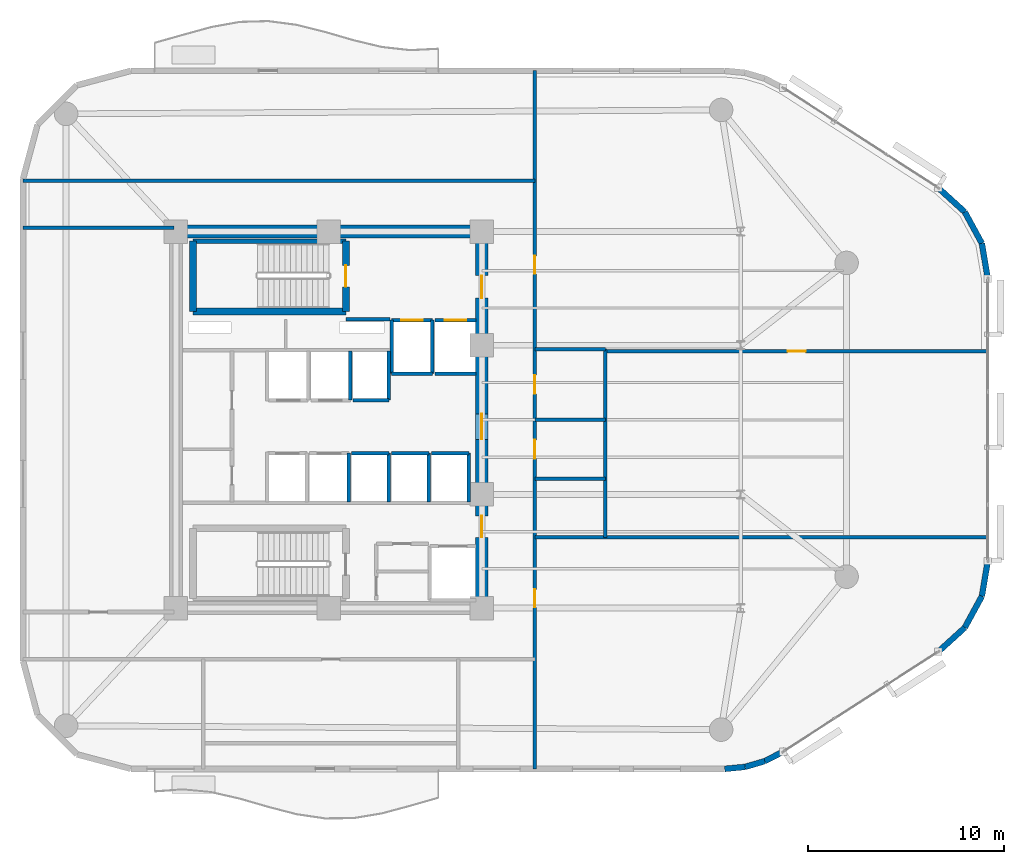
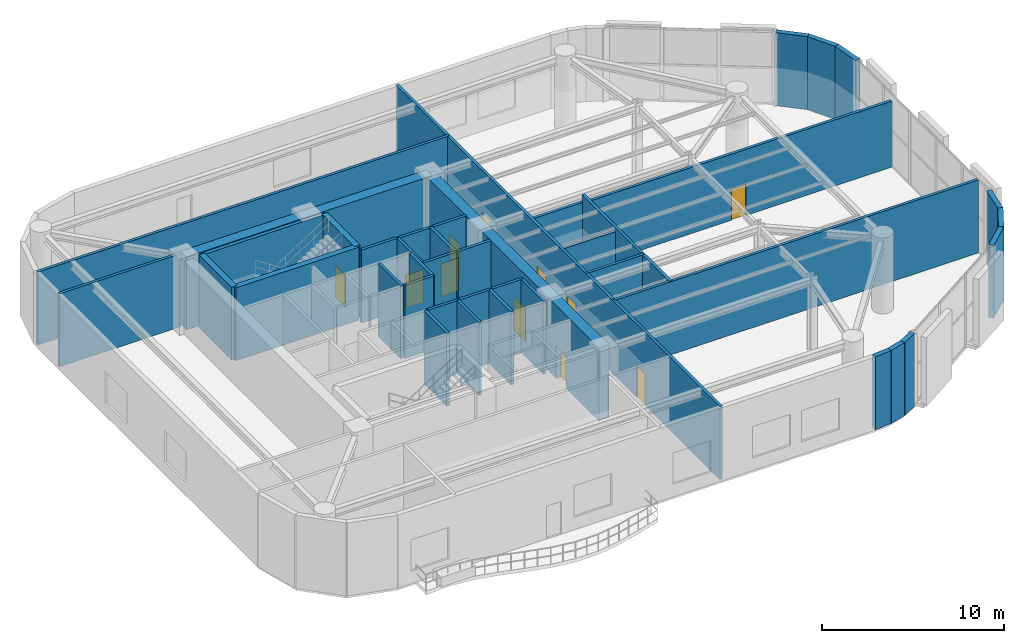
# One storey, part 9 of 12: 41 walls, 11 doors, 11 openings.
"""IFC4 building model written with IfcOpenShell, lengths in metres."""

from ifc_helpers import new_model, si_unit, direction, frame, frame_2d, origin, place, context, subcontext, project, spatial, rectangle, extrude, material, layer, layer_set, type_object, element, fill, save


model = new_model("IFC4")

# Units and contexts
model_context = context("Model", 3, precision=1e-05, world=origin(), true_north=direction((0.0, 1.0)))
body_context = subcontext(model_context, "Body", "Model", "MODEL_VIEW")
ifc_project = project(units=[si_unit("LENGTHUNIT", "METRE"), si_unit("AREAUNIT", "SQUARE_METRE"), si_unit("VOLUMEUNIT", "CUBIC_METRE"), si_unit("PLANEANGLEUNIT", "RADIAN"), si_unit("MASSUNIT", "GRAM", prefix="KILO")], contexts=[model_context])

# Site, building, storey
site_placement = place(None, origin())
site = spatial("IfcSite", under=ifc_project, at=site_placement, CompositionType="ELEMENT")
building_placement = place(site_placement, origin())
building = spatial("IfcBuilding", under=site, at=building_placement, Name="An Khanh Terracotta Commons", CompositionType="ELEMENT")
storey_placement = place(building_placement, frame((0.0, 0.0, 138.699951171875)))
storey = spatial("IfcBuildingStorey", under=building, at=storey_placement, Name="L36", CompositionType="ELEMENT", Elevation=138.699951171875)

# Wall
ifc_material_1 = material(Name="Concrete C60/75", Category="concrete")
ifc_layer_1 = layer(ifc_material_1, 0.64990234375, Name="Concrete C60/75")
ifc_layer_set_1 = layer_set([ifc_layer_1], Name="Concrete C60/75")
wall_type_1 = type_object("IfcWallType", Name="WALL-CORE-650", PredefinedType="SHEAR", material=ifc_layer_set_1)
wall_1_placement = place(storey_placement, frame((21.60009765625, 33.60009765625, 0.0), z_axis=(0.0, 0.0, 1.0), x_axis=(1.0, 0.0, 0.0)))
element("IfcWall", 1, at=wall_1_placement, inside=storey, type_object=wall_type_1, Name="L36 Core Wall CWALL-L36-N", PredefinedType="SHEAR", context=body_context, shape_type="SweptSolid", body=[
    extrude(rectangle(XDim=15.599853515625, YDim=0.64990234375, at=frame_2d((7.7998046875, 0.0))), origin(), (0.0, 0.0, 1.0), 4.900146484375),
])

# Wall, openings, doors
wall_2_placement = place(storey_placement, frame((37.199951171875, 14.39990234375, 0.0), z_axis=(0.0, 0.0, 1.0), x_axis=(0.0, 1.0, 0.0)))
wall_2 = element("IfcWall", 2, at=wall_2_placement, inside=storey, type_object=wall_type_1, Name="L36 Core Wall CWALL-L36-E", PredefinedType="SHEAR", context=body_context, shape_type="SweptSolid", body=[
    extrude(rectangle(XDim=19.2001953125, YDim=0.64990234375, at=frame_2d((9.60009765625, 0.0))), origin(), (0.0, 0.0, 1.0), 4.900146484375),
])
opening_1_placement = place(wall_2_placement, frame((15.800048828125, 0.0, 0.0)))
opening_1 = element("IfcOpeningElement", 3, at=opening_1_placement, cuts=wall_2, Name="Opening D-FFL", PredefinedType="OPENING", context=body_context, shape_type="SweptSolid", body=[
    extrude(rectangle(XDim=1.14990234375, YDim=2.14990234375, at=frame_2d((0.574951171875, 1.074951171875))), frame((0.0, 0.3349609375, 0.0), z_axis=(0.0, -1.0, 0.0), x_axis=(1.0, 0.0, 0.0)), (0.0, 0.0, 1.0), 0.669921875),
])
opening_2_placement = place(wall_2_placement, frame((3.60009765625, 0.0, 0.0)))
opening_2 = element("IfcOpeningElement", 4, at=opening_2_placement, cuts=wall_2, Name="Opening D-ST", PredefinedType="OPENING", context=body_context, shape_type="SweptSolid", body=[
    extrude(rectangle(XDim=1.10009765625, YDim=2.14990234375, at=frame_2d((0.550048828125, 1.074951171875))), frame((0.0, 0.3349609375, 0.0), z_axis=(0.0, -1.0, 0.0), x_axis=(1.0, 0.0, 0.0)), (0.0, 0.0, 1.0), 0.669921875),
])
opening_3_placement = place(wall_2_placement, frame((8.60009765625, 0.0, 0.0)))
opening_3 = element("IfcOpeningElement", 5, at=opening_3_placement, cuts=wall_2, Name="Opening D-COR", PredefinedType="OPENING", context=body_context, shape_type="SweptSolid", body=[
    extrude(rectangle(XDim=1.300048828125, YDim=2.199951171875, at=frame_2d((0.64990234375, 1.10009765625))), frame((0.0, 0.3349609375, 0.0), z_axis=(0.0, -1.0, 0.0), x_axis=(1.0, 0.0, 0.0)), (0.0, 0.0, 1.0), 0.669921875),
])
ifc_material_2 = material(Name="Fire-Rated Glazed Steel Double Door", Category="steel")
door_type_1 = type_object("IfcDoorType", Name="DOOR-CORR-1300", OperationType="NOTDEFINED", PredefinedType="DOOR", material=ifc_material_2)
door_1_placement = place(opening_3_placement, origin())
door_1 = element("IfcDoor", 6, at=door_1_placement, inside=storey, type_object=door_type_1, Name="L36 Passenger Lift Lobby Double Door", OperationType="DOUBLE_DOOR_SINGLE_SWING", OverallHeight=2.199951171875, OverallWidth=1.300048828125, PredefinedType="DOOR", context=body_context, shape_type="SweptSolid", body=[
    extrude(rectangle(XDim=1.300048828125, YDim=2.199951171875, at=frame_2d((0.64990234375, 1.10009765625))), frame((0.0, 0.02490234375, 0.0), z_axis=(0.0, -1.0, 0.0), x_axis=(1.0, 0.0, 0.0)), (0.0, 0.0, 1.0), 0.050048828125),
])
fill(opening_3, door_1)
ifc_material_3 = material(Name="Fire-Rated Steel Leaf and Vision Panel", Category="steel")
door_type_2 = type_object("IfcDoorType", Name="DOOR-FFL-1150", OperationType="NOTDEFINED", PredefinedType="DOOR", material=ifc_material_3)
door_2_placement = place(opening_1_placement, origin())
door_2 = element("IfcDoor", 7, at=door_2_placement, inside=storey, type_object=door_type_2, Name="L36 Firefighting Lift Lobby Fire Door", OperationType="SINGLE_SWING_LEFT", OverallHeight=2.14990234375, OverallWidth=1.14990234375, PredefinedType="DOOR", context=body_context, shape_type="SweptSolid", body=[
    extrude(rectangle(XDim=1.14990234375, YDim=2.14990234375, at=frame_2d((0.574951171875, 1.074951171875))), frame((0.0, 0.02490234375, 0.0), z_axis=(0.0, -1.0, 0.0), x_axis=(1.0, 0.0, 0.0)), (0.0, 0.0, 1.0), 0.050048828125),
])
fill(opening_1, door_2)
ifc_material_4 = material(Name="Fire-Rated Steel Leaf and Frame", Category="steel")
door_type_3 = type_object("IfcDoorType", Name="DOOR-STAIR-1100", OperationType="NOTDEFINED", PredefinedType="DOOR", material=ifc_material_4)
door_3_placement = place(opening_2_placement, origin())
door_3 = element("IfcDoor", 8, at=door_3_placement, inside=storey, type_object=door_type_3, Name="L36 South Stair Lobby Fire Door", OperationType="SINGLE_SWING_RIGHT", OverallHeight=2.14990234375, OverallWidth=1.10009765625, PredefinedType="DOOR", context=body_context, shape_type="SweptSolid", body=[
    extrude(rectangle(XDim=1.10009765625, YDim=2.14990234375, at=frame_2d((0.550048828125, 1.074951171875))), frame((0.0, 0.02490234375, 0.0), z_axis=(0.0, -1.0, 0.0), x_axis=(1.0, 0.0, 0.0)), (0.0, 0.0, 1.0), 0.050048828125),
])
fill(opening_2, door_3)

# Wall
ifc_material_5 = material(Name="Fire-Rated Gypsum Board on Steel Stud", Category="steel")
ifc_layer_2 = layer(ifc_material_5, 0.179931640625, Name="Fire-Rated Gypsum Board on Steel Stud")
ifc_layer_set_2 = layer_set([ifc_layer_2], Name="Fire-Rated Gypsum Board on Steel Stud")
wall_type_2 = type_object("IfcWallType", Name="WALL-CORR-180", PredefinedType="PARTITIONING", material=ifc_layer_set_2)
wall_3_placement = place(storey_placement, frame((30.27001953125, 29.1201171875, 0.0), z_axis=(0.0, 0.0, 1.0), x_axis=(1.0, 0.0, 0.0)))
element("IfcWall", 9, at=wall_3_placement, inside=storey, type_object=wall_type_2, Name="L36 Core Wall FFLW-L36-S", PredefinedType="PARTITIONING", context=body_context, shape_type="SweptSolid", body=[
    extrude(rectangle(XDim=2.239990234375, YDim=0.179931640625, at=frame_2d((1.1201171875, 0.0))), origin(), (0.0, 0.0, 1.0), 4.900146484375),
])

# Wall, opening, door
wall_4_placement = place(storey_placement, frame((32.60009765625, 29.080078125, 0.0), z_axis=(0.0, 0.0, 1.0), x_axis=(1.0, 0.0, 0.0)))
wall_4 = element("IfcWall", 10, at=wall_4_placement, inside=storey, type_object=wall_type_2, Name="L36 Core Wall LSH-L36-FFL-01-N", PredefinedType="PARTITIONING", context=body_context, shape_type="SweptSolid", body=[
    extrude(rectangle(XDim=2.079833984375, YDim=0.179931640625, at=frame_2d((1.0400390625, 0.0))), origin(), (0.0, 0.0, 1.0), 4.900146484375),
])
opening_4_placement = place(wall_4_placement, frame((0.489990234375, 0.0, 0.0)))
opening_4 = element("IfcOpeningElement", 11, at=opening_4_placement, cuts=wall_4, Name="Opening LD-FFL-01-L36", PredefinedType="OPENING", context=body_context, shape_type="SweptSolid", body=[
    extrude(rectangle(XDim=1.10009765625, YDim=2.199951171875, at=frame_2d((0.550048828125, 1.10009765625))), frame((0.0, 0.099853515625, 0.0), z_axis=(0.0, -1.0, 0.0), x_axis=(1.0, 0.0, 0.0)), (0.0, 0.0, 1.0), 0.199951171875),
])
ifc_material_6 = material(Name="Brushed Stainless Steel Fire Landing Door", Category="steel")
door_type_4 = type_object("IfcDoorType", Name="DOOR-LD-FFL-1100", OperationType="NOTDEFINED", PredefinedType="DOOR", material=ifc_material_6)
door_4_placement = place(opening_4_placement, origin())
door_4 = element("IfcDoor", 12, at=door_4_placement, inside=storey, type_object=door_type_4, Name="L36 Lift FFL-01 Sliding Landing Door", OperationType="DOUBLE_DOOR_SLIDING", OverallHeight=2.199951171875, OverallWidth=1.10009765625, PredefinedType="DOOR", context=body_context, shape_type="SweptSolid", body=[
    extrude(rectangle(XDim=1.10009765625, YDim=2.199951171875, at=frame_2d((0.550048828125, 1.10009765625))), frame((0.0, 0.02490234375, 0.0), z_axis=(0.0, -1.0, 0.0), x_axis=(1.0, 0.0, 0.0)), (0.0, 0.0, 1.0), 0.050048828125),
])
fill(opening_4, door_4)

# Walls
wall_5_placement = place(storey_placement, frame((34.679931640625, 26.35009765625, 0.0), z_axis=(0.0, 0.0, 1.0), x_axis=(-1.0, 0.0, 0.0)))
element("IfcWall", 13, at=wall_5_placement, inside=storey, type_object=wall_type_2, Name="L36 Core Wall LSH-L36-FFL-01-S", PredefinedType="PARTITIONING", context=body_context, shape_type="SweptSolid", body=[
    extrude(rectangle(XDim=2.079833984375, YDim=0.179931640625, at=frame_2d((1.0400390625, 0.0))), origin(), (0.0, 0.0, 1.0), 4.900146484375),
])
for number, where, z_axis, x_axis, name in (
    (14, (34.679931640625, 26.35009765625, 0.0), (0.0, 0.0, 1.0), (0.0, 1.0, 0.0), "L36 Core Wall LSH-L36-FFL-01-E"),
    (15, (32.60009765625, 29.080078125, 0.0), (0.0, 0.0, 1.0), (0.0, -1.0, 0.0), "L36 Core Wall LSH-L36-FFL-01-W"),
):
    element("IfcWall", number, at=place(storey_placement, frame(where, z_axis=z_axis, x_axis=x_axis)), inside=storey, type_object=wall_type_2, Name=name, PredefinedType="PARTITIONING", context=body_context, shape_type="SweptSolid", body=[
        extrude(rectangle(XDim=2.72998046875, YDim=0.179931640625, at=frame_2d((1.364990234375, 0.0))), origin(), (0.0, 0.0, 1.0), 4.900146484375),
    ])

# Wall, opening, door
wall_6_placement = place(storey_placement, frame((34.820068359375, 29.080078125, 0.0), z_axis=(0.0, 0.0, 1.0), x_axis=(1.0, 0.0, 0.0)))
wall_6 = element("IfcWall", 16, at=wall_6_placement, inside=storey, type_object=wall_type_2, Name="L36 Core Wall LSH-L36-FFL-02-N", PredefinedType="PARTITIONING", context=body_context, shape_type="SweptSolid", body=[
    extrude(rectangle(XDim=2.079833984375, YDim=0.179931640625, at=frame_2d((1.0400390625, 0.0))), origin(), (0.0, 0.0, 1.0), 4.900146484375),
])
opening_5_placement = place(wall_6_placement, frame((0.489990234375, 0.0, 0.0)))
opening_5 = element("IfcOpeningElement", 17, at=opening_5_placement, cuts=wall_6, Name="Opening LD-FFL-02-L36", PredefinedType="OPENING", context=body_context, shape_type="SweptSolid", body=[
    extrude(rectangle(XDim=1.10009765625, YDim=2.199951171875, at=frame_2d((0.550048828125, 1.10009765625))), frame((0.0, 0.099853515625, 0.0), z_axis=(0.0, -1.0, 0.0), x_axis=(1.0, 0.0, 0.0)), (0.0, 0.0, 1.0), 0.199951171875),
])
door_5_placement = place(opening_5_placement, origin())
door_5 = element("IfcDoor", 18, at=door_5_placement, inside=storey, type_object=door_type_4, Name="L36 Lift FFL-02 Sliding Landing Door", OperationType="DOUBLE_DOOR_SLIDING", OverallHeight=2.199951171875, OverallWidth=1.10009765625, PredefinedType="DOOR", context=body_context, shape_type="SweptSolid", body=[
    extrude(rectangle(XDim=1.10009765625, YDim=2.199951171875, at=frame_2d((0.550048828125, 1.10009765625))), frame((0.0, 0.02490234375, 0.0), z_axis=(0.0, -1.0, 0.0), x_axis=(1.0, 0.0, 0.0)), (0.0, 0.0, 1.0), 0.050048828125),
])
fill(opening_5, door_5)

# Walls
wall_7_placement = place(storey_placement, frame((36.89990234375, 26.35009765625, 0.0), z_axis=(0.0, 0.0, 1.0), x_axis=(-1.0, 0.0, 0.0)))
element("IfcWall", 19, at=wall_7_placement, inside=storey, type_object=wall_type_2, Name="L36 Core Wall LSH-L36-FFL-02-S", PredefinedType="PARTITIONING", context=body_context, shape_type="SweptSolid", body=[
    extrude(rectangle(XDim=2.079833984375, YDim=0.179931640625, at=frame_2d((1.0400390625, 0.0))), origin(), (0.0, 0.0, 1.0), 4.900146484375),
])
for number, where, z_axis, x_axis, name in (
    (20, (30.5, 25.0, 0.0), (0.0, 0.0, 1.0), (0.0, 1.0, 0.0), "L36 Core Wall LSH-L36-PL-M2-E"),
    (21, (30.419921875, 19.800048828125, 0.0), (0.0, 0.0, 1.0), (0.0, 1.0, 0.0), "L36 Core Wall LSH-L36-PL-M4-E"),
):
    element("IfcWall", number, at=place(storey_placement, frame(where, z_axis=z_axis, x_axis=x_axis)), inside=storey, type_object=wall_type_2, Name=name, PredefinedType="PARTITIONING", context=body_context, shape_type="SweptSolid", body=[
        extrude(rectangle(XDim=2.5, YDim=0.179931640625, at=frame_2d((1.25, 0.0))), origin(), (0.0, 0.0, 1.0), 4.900146484375),
    ])
wall_8_placement = place(storey_placement, frame((32.4599609375, 25.0, 0.0), z_axis=(0.0, 0.0, 1.0), x_axis=(-1.0, 0.0, 0.0)))
element("IfcWall", 22, at=wall_8_placement, inside=storey, type_object=wall_type_2, Name="L36 Core Wall LSH-L36-PL-H1-S", PredefinedType="PARTITIONING", context=body_context, shape_type="SweptSolid", body=[
    extrude(rectangle(XDim=1.820068359375, YDim=0.179931640625, at=frame_2d((0.91015625, 0.0))), origin(), (0.0, 0.0, 1.0), 4.900146484375),
])
wall_9_placement = place(storey_placement, frame((32.4599609375, 25.0, 0.0), z_axis=(0.0, 0.0, 1.0), x_axis=(0.0, 1.0, 0.0)))
element("IfcWall", 23, at=wall_9_placement, inside=storey, type_object=wall_type_2, Name="L36 Core Wall LSH-L36-PL-H1-E", PredefinedType="PARTITIONING", context=body_context, shape_type="SweptSolid", body=[
    extrude(rectangle(XDim=2.5, YDim=0.179931640625, at=frame_2d((1.25, 0.0))), origin(), (0.0, 0.0, 1.0), 4.900146484375),
])
wall_10_placement = place(storey_placement, frame((30.56005859375, 22.300048828125, 0.0), z_axis=(0.0, 0.0, 1.0), x_axis=(1.0, 0.0, 0.0)))
element("IfcWall", 24, at=wall_10_placement, inside=storey, type_object=wall_type_2, Name="L36 Core Wall LSH-L36-PL-H2-N", PredefinedType="PARTITIONING", context=body_context, shape_type="SweptSolid", body=[
    extrude(rectangle(XDim=1.89990234375, YDim=0.179931640625, at=frame_2d((0.949951171875, 0.0))), origin(), (0.0, 0.0, 1.0), 4.900146484375),
])
wall_11_placement = place(storey_placement, frame((32.4599609375, 19.800048828125, 0.0), z_axis=(0.0, 0.0, 1.0), x_axis=(0.0, 1.0, 0.0)))
element("IfcWall", 25, at=wall_11_placement, inside=storey, type_object=wall_type_2, Name="L36 Core Wall LSH-L36-PL-H2-E", PredefinedType="PARTITIONING", context=body_context, shape_type="SweptSolid", body=[
    extrude(rectangle(XDim=2.5, YDim=0.179931640625, at=frame_2d((1.25, 0.0))), origin(), (0.0, 0.0, 1.0), 4.900146484375),
])
wall_12_placement = place(storey_placement, frame((32.60009765625, 22.300048828125, 0.0), z_axis=(0.0, 0.0, 1.0), x_axis=(1.0, 0.0, 0.0)))
element("IfcWall", 26, at=wall_12_placement, inside=storey, type_object=wall_type_2, Name="L36 Core Wall LSH-L36-PL-H3-N", PredefinedType="PARTITIONING", context=body_context, shape_type="SweptSolid", body=[
    extrude(rectangle(XDim=1.89990234375, YDim=0.179931640625, at=frame_2d((0.949951171875, 0.0))), origin(), (0.0, 0.0, 1.0), 4.900146484375),
])
wall_13_placement = place(storey_placement, frame((34.5, 19.800048828125, 0.0), z_axis=(0.0, 0.0, 1.0), x_axis=(0.0, 1.0, 0.0)))
element("IfcWall", 27, at=wall_13_placement, inside=storey, type_object=wall_type_2, Name="L36 Core Wall LSH-L36-PL-H3-E", PredefinedType="PARTITIONING", context=body_context, shape_type="SweptSolid", body=[
    extrude(rectangle(XDim=2.5, YDim=0.179931640625, at=frame_2d((1.25, 0.0))), origin(), (0.0, 0.0, 1.0), 4.900146484375),
])
wall_14_placement = place(storey_placement, frame((34.639892578125, 22.300048828125, 0.0), z_axis=(0.0, 0.0, 1.0), x_axis=(1.0, 0.0, 0.0)))
element("IfcWall", 28, at=wall_14_placement, inside=storey, type_object=wall_type_2, Name="L36 Core Wall LSH-L36-PL-H4-N", PredefinedType="PARTITIONING", context=body_context, shape_type="SweptSolid", body=[
    extrude(rectangle(XDim=1.900146484375, YDim=0.179931640625, at=frame_2d((0.9501953125, 0.0))), origin(), (0.0, 0.0, 1.0), 4.900146484375),
])
wall_15_placement = place(storey_placement, frame((36.5400390625, 19.800048828125, 0.0), z_axis=(0.0, 0.0, 1.0), x_axis=(0.0, 1.0, 0.0)))
element("IfcWall", 29, at=wall_15_placement, inside=storey, type_object=wall_type_2, Name="L36 Core Wall LSH-L36-PL-H4-E", PredefinedType="PARTITIONING", context=body_context, shape_type="SweptSolid", body=[
    extrude(rectangle(XDim=2.5, YDim=0.179931640625, at=frame_2d((1.25, 0.0))), origin(), (0.0, 0.0, 1.0), 4.900146484375),
])
wall_16_placement = place(storey_placement, frame((39.89990234375, 18.0, 0.0), z_axis=(0.0, 0.0, 1.0), x_axis=(1.0, 0.0, 0.0)))
element("IfcWall", 30, at=wall_16_placement, inside=storey, type_object=wall_type_2, Name="L36 Interior Partition IW-L36-E004", PredefinedType="PARTITIONING", context=body_context, shape_type="SweptSolid", body=[
    extrude(rectangle(XDim=23.10009765625, YDim=0.179931640625, at=frame_2d((11.550048828125, 0.0))), origin(), (0.0, 0.0, 1.0), 4.900146484375),
])
wall_17_placement = place(storey_placement, frame((39.89990234375, 21.0, 0.0), z_axis=(0.0, 0.0, 1.0), x_axis=(1.0, 0.0, 0.0)))
element("IfcWall", 31, at=wall_17_placement, inside=storey, type_object=wall_type_2, Name="L36 Interior Partition IW-L36-E005", PredefinedType="PARTITIONING", context=body_context, shape_type="SweptSolid", body=[
    extrude(rectangle(XDim=3.60009765625, YDim=0.179931640625, at=frame_2d((1.800048828125, 0.0))), origin(), (0.0, 0.0, 1.0), 4.900146484375),
])
wall_18_placement = place(storey_placement, frame((39.89990234375, 24.0, 0.0), z_axis=(0.0, 0.0, 1.0), x_axis=(1.0, 0.0, 0.0)))
element("IfcWall", 32, at=wall_18_placement, inside=storey, type_object=wall_type_2, Name="L36 Interior Partition IW-L36-E006", PredefinedType="PARTITIONING", context=body_context, shape_type="SweptSolid", body=[
    extrude(rectangle(XDim=3.60009765625, YDim=0.179931640625, at=frame_2d((1.800048828125, 0.0))), origin(), (0.0, 0.0, 1.0), 4.64208984375),
])

# Wall, opening, door
wall_19_placement = place(storey_placement, frame((43.5, 27.5, 0.0), z_axis=(0.0, 0.0, 1.0), x_axis=(1.0, 0.0, 0.0)))
wall_19 = element("IfcWall", 33, at=wall_19_placement, inside=storey, type_object=wall_type_2, Name="L36 Interior Partition IW-L36-E007", PredefinedType="PARTITIONING", context=body_context, shape_type="SweptSolid", body=[
    extrude(rectangle(XDim=19.5, YDim=0.179931640625, at=frame_2d((9.75, 0.0))), origin(), (0.0, 0.0, 1.0), 4.43212890625),
])
opening_6_placement = place(wall_19_placement, frame((9.2900390625, 0.0, 0.0)))
opening_6 = element("IfcOpeningElement", 34, at=opening_6_placement, cuts=wall_19, Name="Opening D-RM", PredefinedType="OPENING", context=body_context, shape_type="SweptSolid", body=[
    extrude(rectangle(XDim=0.919921875, YDim=2.10009765625, at=frame_2d((0.4599609375, 1.050048828125))), frame((0.0, 0.099853515625, 0.0), z_axis=(0.0, -1.0, 0.0), x_axis=(1.0, 0.0, 0.0)), (0.0, 0.0, 1.0), 0.199951171875),
])
ifc_material_7 = material(Name="Engineered Hardwood Timber Leaf", Category="wood")
door_type_5 = type_object("IfcDoorType", Name="DOOR-INT-920", OperationType="NOTDEFINED", PredefinedType="DOOR", material=ifc_material_7)
door_6_placement = place(opening_6_placement, origin())
door_6 = element("IfcDoor", 35, at=door_6_placement, inside=storey, type_object=door_type_5, Name="L36 SKIT Mid-Zone Shared Dining Kitchen Door", OperationType="SINGLE_SWING_LEFT", OverallHeight=2.10009765625, OverallWidth=0.919921875, PredefinedType="DOOR", context=body_context, shape_type="SweptSolid", body=[
    extrude(rectangle(XDim=0.919921875, YDim=2.10009765625, at=frame_2d((0.4599609375, 1.050048828125))), frame((0.0, 0.02490234375, 0.0), z_axis=(0.0, -1.0, 0.0), x_axis=(1.0, 0.0, 0.0)), (0.0, 0.0, 1.0), 0.050048828125),
])
fill(opening_6, door_6)

# Walls
wall_20_placement = place(storey_placement, frame((39.89990234375, 27.60009765625, 0.0), z_axis=(0.0, 0.0, 1.0), x_axis=(1.0, 0.0, 0.0)))
element("IfcWall", 36, at=wall_20_placement, inside=storey, type_object=wall_type_2, Name="L36 Interior Partition IW-L36-E008", PredefinedType="PARTITIONING", context=body_context, shape_type="SweptSolid", body=[
    extrude(rectangle(XDim=3.60009765625, YDim=0.179931640625, at=frame_2d((1.800048828125, 0.0))), origin(), (0.0, 0.0, 1.0), 4.43212890625),
])
wall_21_placement = place(storey_placement, frame((13.800048828125, 33.800048828125, 0.0), z_axis=(0.0, 0.0, 1.0), x_axis=(1.0, 0.0, 0.0)))
element("IfcWall", 37, at=wall_21_placement, inside=storey, type_object=wall_type_2, Name="L36 Interior Partition IW-L36-E009", PredefinedType="PARTITIONING", context=body_context, shape_type="SweptSolid", body=[
    extrude(rectangle(XDim=7.699951171875, YDim=0.179931640625, at=frame_2d((3.85009765625, 0.0))), origin(), (0.0, 0.0, 1.0), 4.900146484375),
])
wall_22_placement = place(storey_placement, frame((13.800048828125, 36.199951171875, 0.0), z_axis=(0.0, 0.0, 1.0), x_axis=(1.0, 0.0, 0.0)))
element("IfcWall", 38, at=wall_22_placement, inside=storey, type_object=wall_type_2, Name="L36 Interior Partition IW-L36-E010", PredefinedType="PARTITIONING", context=body_context, shape_type="SweptSolid", body=[
    extrude(rectangle(XDim=26.099853515625, YDim=0.179931640625, at=frame_2d((13.0498046875, 0.0))), origin(), (0.0, 0.0, 1.0), 4.900146484375),
])

# Wall, openings, doors
wall_23_placement = place(storey_placement, frame((39.89990234375, 6.199951171875, 0.0), z_axis=(0.0, 0.0, 1.0), x_axis=(0.0, 1.0, 0.0)))
wall_23 = element("IfcWall", 39, at=wall_23_placement, inside=storey, type_object=wall_type_2, Name="L36 Interior Partition IW-L36-E013", PredefinedType="PARTITIONING", context=body_context, shape_type="SweptSolid", body=[
    extrude(rectangle(XDim=35.60009765625, YDim=0.179931640625, at=frame_2d((17.800048828125, 0.0))), origin(), (0.0, 0.0, 1.0), 4.900146484375),
])
opening_7_placement = place(wall_23_placement, frame((15.824951171875, 0.0, 0.0)))
opening_7 = element("IfcOpeningElement", 40, at=opening_7_placement, cuts=wall_23, Name="Opening D-LWC", PredefinedType="OPENING", context=body_context, shape_type="SweptSolid", body=[
    extrude(rectangle(XDim=0.949951171875, YDim=2.14990234375, at=frame_2d((0.47509765625, 1.074951171875))), frame((0.0, 0.099853515625, 0.0), z_axis=(0.0, -1.0, 0.0), x_axis=(1.0, 0.0, 0.0)), (0.0, 0.0, 1.0), 0.199951171875),
])
opening_8_placement = place(wall_23_placement, frame((19.125, 0.0, 0.0)))
opening_8 = element("IfcOpeningElement", 41, at=opening_8_placement, cuts=wall_23, Name="Opening D-LWC", PredefinedType="OPENING", context=body_context, shape_type="SweptSolid", body=[
    extrude(rectangle(XDim=0.949951171875, YDim=2.14990234375, at=frame_2d((0.47509765625, 1.074951171875))), frame((0.0, 0.099853515625, 0.0), z_axis=(0.0, -1.0, 0.0), x_axis=(1.0, 0.0, 0.0)), (0.0, 0.0, 1.0), 0.199951171875),
])
opening_9_placement = place(wall_23_placement, frame((25.239990234375, 0.0, 0.0)))
opening_9 = element("IfcOpeningElement", 42, at=opening_9_placement, cuts=wall_23, Name="Opening D-RM", PredefinedType="OPENING", context=body_context, shape_type="SweptSolid", body=[
    extrude(rectangle(XDim=0.919921875, YDim=2.10009765625, at=frame_2d((0.4599609375, 1.050048828125))), frame((0.0, 0.099853515625, 0.0), z_axis=(0.0, -1.0, 0.0), x_axis=(1.0, 0.0, 0.0)), (0.0, 0.0, 1.0), 0.199951171875),
])
opening_10_placement = place(wall_23_placement, frame((8.239990234375, 0.0, 0.0)))
opening_10 = element("IfcOpeningElement", 43, at=opening_10_placement, cuts=wall_23, Name="Opening D-RM", PredefinedType="OPENING", context=body_context, shape_type="SweptSolid", body=[
    extrude(rectangle(XDim=0.919921875, YDim=2.10009765625, at=frame_2d((0.4599609375, 1.050048828125))), frame((0.0, 0.099853515625, 0.0), z_axis=(0.0, -1.0, 0.0), x_axis=(1.0, 0.0, 0.0)), (0.0, 0.0, 1.0), 0.199951171875),
])
door_7_placement = place(opening_9_placement, origin())
door_7 = element("IfcDoor", 44, at=door_7_placement, inside=storey, type_object=door_type_5, Name="L36 SLNG Sky Panorama Study Hall Door", OperationType="SINGLE_SWING_RIGHT", OverallHeight=2.10009765625, OverallWidth=0.919921875, PredefinedType="DOOR", context=body_context, shape_type="SweptSolid", body=[
    extrude(rectangle(XDim=0.919921875, YDim=2.10009765625, at=frame_2d((0.4599609375, 1.050048828125))), frame((0.0, 0.02490234375, 0.0), z_axis=(0.0, -1.0, 0.0), x_axis=(1.0, 0.0, 0.0)), (0.0, 0.0, 1.0), 0.050048828125),
])
fill(opening_9, door_7)
door_8_placement = place(opening_10_placement, origin())
door_8 = element("IfcDoor", 45, at=door_8_placement, inside=storey, type_object=door_type_5, Name="L36 SSEM Academic Debate Room Door", OperationType="SINGLE_SWING_LEFT", OverallHeight=2.10009765625, OverallWidth=0.919921875, PredefinedType="DOOR", context=body_context, shape_type="SweptSolid", body=[
    extrude(rectangle(XDim=0.919921875, YDim=2.10009765625, at=frame_2d((0.4599609375, 1.050048828125))), frame((0.0, 0.02490234375, 0.0), z_axis=(0.0, -1.0, 0.0), x_axis=(1.0, 0.0, 0.0)), (0.0, 0.0, 1.0), 0.050048828125),
])
fill(opening_10, door_8)
ifc_material_8 = material(Name="Fire-Rated Moisture-Resistant Laminate Timber Leaf", Category="wood")
door_type_6 = type_object("IfcDoorType", Name="DOOR-LOBWC-950", OperationType="NOTDEFINED", PredefinedType="DOOR", material=ifc_material_8)
door_9_placement = place(opening_7_placement, origin())
door_9 = element("IfcDoor", 46, at=door_9_placement, inside=storey, type_object=door_type_6, Name="L36 AWC Sky Lobby Accessible WC Door", OperationType="SINGLE_SWING_LEFT", OverallHeight=2.14990234375, OverallWidth=0.949951171875, PredefinedType="DOOR", context=body_context, shape_type="SweptSolid", body=[
    extrude(rectangle(XDim=0.949951171875, YDim=2.14990234375, at=frame_2d((0.47509765625, 1.074951171875))), frame((0.0, 0.02490234375, 0.0), z_axis=(0.0, -1.0, 0.0), x_axis=(1.0, 0.0, 0.0)), (0.0, 0.0, 1.0), 0.050048828125),
])
fill(opening_7, door_9)
door_10_placement = place(opening_8_placement, origin())
door_10 = element("IfcDoor", 47, at=door_10_placement, inside=storey, type_object=door_type_6, Name="L36 WCB Sky Lobby Public Restrooms Door", OperationType="SINGLE_SWING_RIGHT", OverallHeight=2.14990234375, OverallWidth=0.949951171875, PredefinedType="DOOR", context=body_context, shape_type="SweptSolid", body=[
    extrude(rectangle(XDim=0.949951171875, YDim=2.14990234375, at=frame_2d((0.47509765625, 1.074951171875))), frame((0.0, 0.02490234375, 0.0), z_axis=(0.0, -1.0, 0.0), x_axis=(1.0, 0.0, 0.0)), (0.0, 0.0, 1.0), 0.050048828125),
])
fill(opening_8, door_10)

# Walls
wall_24_placement = place(storey_placement, frame((43.5, 18.0, 0.0), z_axis=(0.0, 0.0, 1.0), x_axis=(0.0, 1.0, 0.0)))
element("IfcWall", 48, at=wall_24_placement, inside=storey, type_object=wall_type_2, Name="L36 Interior Partition IW-L36-E014", PredefinedType="PARTITIONING", context=body_context, shape_type="SweptSolid", body=[
    extrude(rectangle(XDim=9.60009765625, YDim=0.179931640625, at=frame_2d((4.800048828125, 0.0))), origin(), (0.0, 0.0, 1.0), 4.900146484375),
])
ifc_material_9 = material(Name="Precast concrete C40/50", Category="concrete")
ifc_layer_3 = layer(ifc_material_9, 0.300048828125, Name="Precast concrete C40/50")
ifc_layer_set_3 = layer_set([ifc_layer_3], Name="Precast concrete C40/50")
wall_type_3 = type_object("IfcWallType", Name="WALL-EXT-300", PredefinedType="SOLIDWALL", material=ifc_layer_set_3)
wall_25_placement = place(storey_placement, frame((49.58203125, 6.199951171875, 0.0), z_axis=(0.0, 0.0, 1.0), x_axis=(0.995426089968, 0.095534807324, 0.0)))
element("IfcWall", 49, at=wall_25_placement, inside=storey, type_object=wall_type_3, Name="L36 Insulated Terracotta Exterior Wall 5", PredefinedType="SOLIDWALL", context=body_context, shape_type="SweptSolid", body=[
    extrude(rectangle(XDim=1.0478515625, YDim=0.300048828125, at=frame_2d((0.52392578125, 0.0))), origin(), (0.0, 0.0, 1.0), 4.900146484375),
])
wall_26_placement = place(storey_placement, frame((50.625, 6.300048828125, 0.0), z_axis=(0.0, 0.0, 1.0), x_axis=(0.959528674476, 0.281610942363, 0.0)))
element("IfcWall", 50, at=wall_26_placement, inside=storey, type_object=wall_type_3, Name="L36 Insulated Terracotta Exterior Wall 6", PredefinedType="SOLIDWALL", context=body_context, shape_type="SweptSolid", body=[
    extrude(rectangle(XDim=1.04736328125, YDim=0.300048828125, at=frame_2d((0.523681640625, 0.0))), origin(), (0.0, 0.0, 1.0), 4.900146484375),
])
wall_27_placement = place(storey_placement, frame((51.6298828125, 6.594970703125, 0.0), z_axis=(0.0, 0.0, 1.0), x_axis=(0.888283247196, 0.459296062198, 0.0)))
element("IfcWall", 51, at=wall_27_placement, inside=storey, type_object=wall_type_3, Name="L36 Insulated Terracotta Exterior Wall 7", PredefinedType="SOLIDWALL", context=body_context, shape_type="SweptSolid", body=[
    extrude(rectangle(XDim=1.047119140625, YDim=0.300048828125, at=frame_2d((0.5234375, 0.0))), origin(), (0.0, 0.0, 1.0), 4.900146484375),
])
wall_28_placement = place(storey_placement, frame((60.47802734375, 12.176025390625, 0.0), z_axis=(0.0, 0.0, 1.0), x_axis=(0.73947929393, 0.673179302897, 0.0)))
element("IfcWall", 52, at=wall_28_placement, inside=storey, type_object=wall_type_3, Name="L36 Insulated Terracotta Exterior Wall 9", PredefinedType="SOLIDWALL", context=body_context, shape_type="SweptSolid", body=[
    extrude(rectangle(XDim=1.82275390625, YDim=0.300048828125, at=frame_2d((0.911376953125, 0.0))), origin(), (0.0, 0.0, 1.0), 4.900146484375),
])
wall_29_placement = place(storey_placement, frame((61.825927734375, 13.403076171875, 0.0), z_axis=(0.0, 0.0, 1.0), x_axis=(0.478608030646, 0.878028674362, 0.0)))
element("IfcWall", 53, at=wall_29_placement, inside=storey, type_object=wall_type_3, Name="L36 Insulated Terracotta Exterior Wall 10", PredefinedType="SOLIDWALL", context=body_context, shape_type="SweptSolid", body=[
    extrude(rectangle(XDim=1.822021484375, YDim=0.300048828125, at=frame_2d((0.9111328125, 0.0))), origin(), (0.0, 0.0, 1.0), 4.900146484375),
])
for number, where, z_axis, x_axis, name in (
    (54, (62.697998046875, 15.0029296875, 0.0), (0.0, 0.0, 1.0), (0.165724081207, 0.986172159873, 0.0), "L36 Insulated Terracotta Exterior Wall 11"),
    (55, (63.0, 31.199951171875, 0.0), (0.0, 0.0, 1.0), (-0.165724081207, 0.986172159873, 0.0), "L36 Insulated Terracotta Exterior Wall 13"),
):
    element("IfcWall", number, at=place(storey_placement, frame(where, z_axis=z_axis, x_axis=x_axis)), inside=storey, type_object=wall_type_3, Name=name, PredefinedType="SOLIDWALL", context=body_context, shape_type="SweptSolid", body=[
        extrude(rectangle(XDim=1.822265625, YDim=0.300048828125, at=frame_2d((0.9111328125, 0.0))), origin(), (0.0, 0.0, 1.0), 4.900146484375),
    ])
wall_30_placement = place(storey_placement, frame((62.697998046875, 32.9970703125, 0.0), z_axis=(0.0, 0.0, 1.0), x_axis=(-0.478608030646, 0.878028674362, 0.0)))
element("IfcWall", 56, at=wall_30_placement, inside=storey, type_object=wall_type_3, Name="L36 Insulated Terracotta Exterior Wall 14", PredefinedType="SOLIDWALL", context=body_context, shape_type="SweptSolid", body=[
    extrude(rectangle(XDim=1.822021484375, YDim=0.300048828125, at=frame_2d((0.9111328125, 0.0))), origin(), (0.0, 0.0, 1.0), 4.900146484375),
])
wall_31_placement = place(storey_placement, frame((61.825927734375, 34.596923828125, 0.0), z_axis=(0.0, 0.0, 1.0), x_axis=(-0.73947929393, 0.673179302897, 0.0)))
element("IfcWall", 57, at=wall_31_placement, inside=storey, type_object=wall_type_3, Name="L36 Insulated Terracotta Exterior Wall 15", PredefinedType="SOLIDWALL", context=body_context, shape_type="SweptSolid", body=[
    extrude(rectangle(XDim=1.82275390625, YDim=0.300048828125, at=frame_2d((0.911376953125, 0.0))), origin(), (0.0, 0.0, 1.0), 4.900146484375),
])
ifc_material_10 = material(Name="Acoustic Double-Stud Gypsum and Mineral Wool")
ifc_layer_4 = layer(ifc_material_10, 0.219970703125, Name="Acoustic Double-Stud Gypsum and Mineral Wool")
ifc_layer_set_4 = layer_set([ifc_layer_4], Name="Acoustic Double-Stud Gypsum and Mineral Wool")
wall_type_4 = type_object("IfcWallType", Name="WALL-PARTY-220", PredefinedType="PARTITIONING", material=ifc_layer_set_4)
wall_32_placement = place(storey_placement, frame((22.47998046875, 33.110107421875, 0.0), z_axis=(0.0, 0.0, 1.0), x_axis=(1.0, 0.0, 0.0)))
element("IfcWall", 58, at=wall_32_placement, inside=storey, type_object=wall_type_4, Name="L36 Core Wall STW-L36-N-N", PredefinedType="PARTITIONING", context=body_context, shape_type="SweptSolid", body=[
    extrude(rectangle(XDim=7.7900390625, YDim=0.219970703125, at=frame_2d((3.89501953125, 0.0))), origin(), (0.0, 0.0, 1.0), 4.900146484375),
])
ifc_material_11 = material(Name="Concrete C50/60", Category="concrete")
ifc_layer_5 = layer(ifc_material_11, 0.35009765625, Name="Concrete C50/60")
ifc_layer_set_5 = layer_set([ifc_layer_5], Name="Concrete C50/60")
wall_type_5 = type_object("IfcWallType", Name="WALL-SHAFT-350", PredefinedType="SOLIDWALL", material=ifc_layer_set_5)
wall_33_placement = place(storey_placement, frame((22.47998046875, 29.530029296875, 0.0), z_axis=(0.0, 0.0, 1.0), x_axis=(1.0, 0.0, 0.0)))
element("IfcWall", 59, at=wall_33_placement, inside=storey, type_object=wall_type_5, Name="L36 Core Wall STW-L36-N-S", PredefinedType="SOLIDWALL", context=body_context, shape_type="SweptSolid", body=[
    extrude(rectangle(XDim=7.7900390625, YDim=0.35009765625, at=frame_2d((3.89501953125, 0.0))), origin(), (0.0, 0.0, 1.0), 4.900146484375),
])
wall_34_placement = place(storey_placement, frame((22.47998046875, 29.530029296875, 0.0), z_axis=(0.0, 0.0, 1.0), x_axis=(0.0, 1.0, 0.0)))
element("IfcWall", 60, at=wall_34_placement, inside=storey, type_object=wall_type_5, Name="L36 Core Wall STW-L36-N-W", PredefinedType="SOLIDWALL", context=body_context, shape_type="SweptSolid", body=[
    extrude(rectangle(XDim=3.580078125, YDim=0.35009765625, at=frame_2d((1.7900390625, 0.0))), origin(), (0.0, 0.0, 1.0), 4.900146484375),
])

# Wall, opening, door
wall_35_placement = place(storey_placement, frame((30.27001953125, 29.530029296875, 0.0), z_axis=(0.0, 0.0, 1.0), x_axis=(0.0, 1.0, 0.0)))
wall_35 = element("IfcWall", 61, at=wall_35_placement, inside=storey, type_object=wall_type_5, Name="L36 Core Wall STW-L36-N-E", PredefinedType="SOLIDWALL", context=body_context, shape_type="SweptSolid", body=[
    extrude(rectangle(XDim=3.580078125, YDim=0.35009765625, at=frame_2d((1.7900390625, 0.0))), origin(), (0.0, 0.0, 1.0), 4.900146484375),
])
opening_11_placement = place(wall_35_placement, frame((1.25, 0.0, 0.0)))
opening_11 = element("IfcOpeningElement", 62, at=opening_11_placement, cuts=wall_35, Name="Opening D-ST", PredefinedType="OPENING", context=body_context, shape_type="SweptSolid", body=[
    extrude(rectangle(XDim=1.10009765625, YDim=2.14990234375, at=frame_2d((0.550048828125, 1.074951171875))), frame((0.0, 0.18505859375, 0.0), z_axis=(0.0, -1.0, 0.0), x_axis=(1.0, 0.0, 0.0)), (0.0, 0.0, 1.0), 0.3701171875),
])
door_11_placement = place(opening_11_placement, origin())
door_11 = element("IfcDoor", 63, at=door_11_placement, inside=storey, type_object=door_type_3, Name="L36 Stair ST-01 Fire Door", OperationType="SINGLE_SWING_LEFT", OverallHeight=2.14990234375, OverallWidth=1.10009765625, PredefinedType="DOOR", context=body_context, shape_type="SweptSolid", body=[
    extrude(rectangle(XDim=1.10009765625, YDim=2.14990234375, at=frame_2d((0.550048828125, 1.074951171875))), frame((0.0, 0.02490234375, 0.0), z_axis=(0.0, -1.0, 0.0), x_axis=(1.0, 0.0, 0.0)), (0.0, 0.0, 1.0), 0.050048828125),
])
fill(opening_11, door_11)

save(model, "model.ifc")
